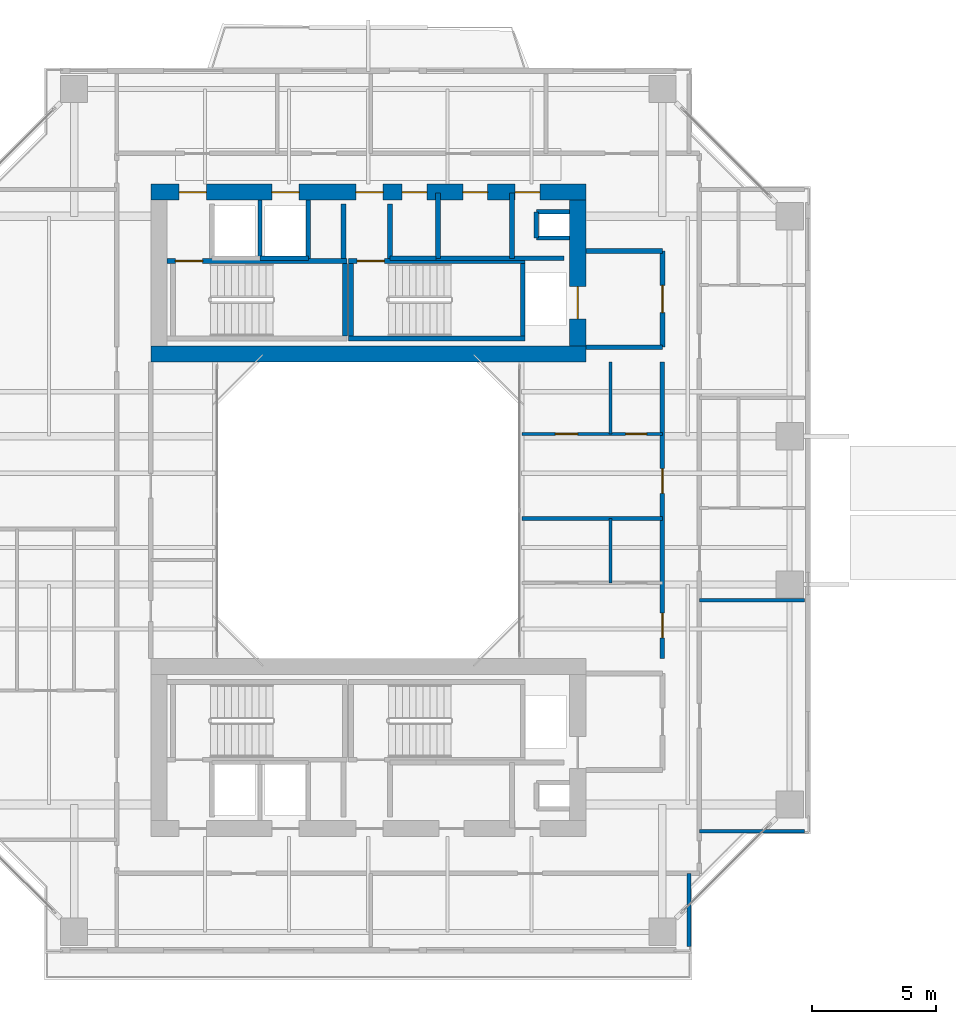
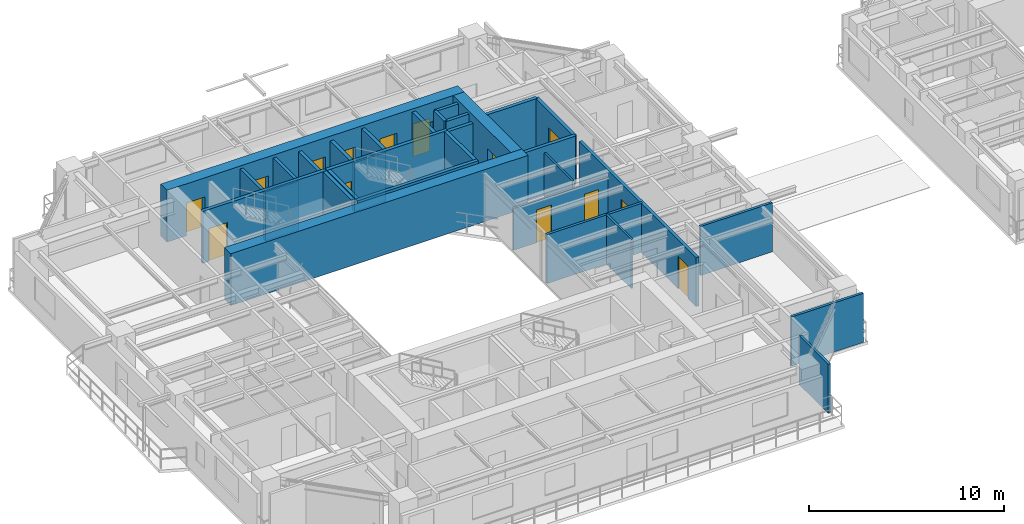
# One storey, part 15 of 23: 32 walls, 14 doors, 14 openings.
"""IFC4 building model written with IfcOpenShell, lengths in metres."""

from ifc_helpers import new_model, si_unit, direction, frame, frame_2d, origin, place, context, subcontext, project, spatial, rectangle, extrude, source, transform, mapped, material, layer, layer_set, type_object, element, fill, save


model = new_model("IFC4")

# Units and contexts
model_context = context("Model", 3, precision=1e-05, world=origin(), true_north=direction((0.0, 1.0)))
body_context = subcontext(model_context, "Body", "Model", "MODEL_VIEW")
ifc_project = project(units=[si_unit("LENGTHUNIT", "METRE"), si_unit("AREAUNIT", "SQUARE_METRE"), si_unit("VOLUMEUNIT", "CUBIC_METRE"), si_unit("PLANEANGLEUNIT", "RADIAN"), si_unit("MASSUNIT", "GRAM", prefix="KILO"), si_unit("THERMODYNAMICTEMPERATUREUNIT", "KELVIN"), si_unit("POWERUNIT", "WATT")], contexts=[model_context])

# Site, building, storey
site_placement = place(None, origin())
site = spatial("IfcSite", under=ifc_project, at=site_placement, CompositionType="ELEMENT")
building_placement = place(site_placement, origin())
building = spatial("IfcBuilding", under=site, at=building_placement, Name="Qiaomeng Ring Towers", CompositionType="ELEMENT")
storey_placement = place(building_placement, frame((0.0, 0.0, 97.0)))
storey = spatial("IfcBuildingStorey", under=building, at=storey_placement, Name="L27", CompositionType="ELEMENT", Elevation=97.0)

# Walls
ifc_material_1 = material(Name="Autoclaved aerated concrete block", Category="concrete")
ifc_layer_1 = layer(ifc_material_1, 0.199951171875, Name="Autoclaved aerated concrete block")
ifc_layer_set_1 = layer_set([ifc_layer_1], Name="Autoclaved aerated concrete block")
wall_type_1 = type_object("IfcWallType", Name="ARC-WL-PW1", PredefinedType="PARTITIONING", material=ifc_layer_set_1)
for number, where, z_axis, x_axis, name in (
    (1, (27.800048828125, 29.60009765625, 0.0), (0.0, 0.0, 1.0), (1.0, 0.0, 0.0), "L27 Interior Wall PW1"),
    (2, (27.800048828125, 33.5, 0.0), (0.0, 0.0, 1.0), (1.0, 0.0, 0.0), "L27 Interior Wall PW1"),
):
    element("IfcWall", number, at=place(storey_placement, frame(where, z_axis=z_axis, x_axis=x_axis)), inside=storey, type_object=wall_type_1, Name=name, PredefinedType="PARTITIONING", context=body_context, shape_type="SweptSolid", body=[
        extrude(rectangle(XDim=3.099853515625, YDim=0.199951171875, at=frame_2d((1.5498046875, 0.0))), origin(), (0.0, 0.0, 1.0), 3.070068359375),
    ])

# Wall, opening, door
wall_1_placement = place(storey_placement, frame((30.89990234375, 29.60009765625, 0.0), z_axis=(0.0, 0.0, 1.0), x_axis=(0.0, 1.0, 0.0)))
wall_1 = element("IfcWall", 3, at=wall_1_placement, inside=storey, type_object=wall_type_1, Name="L27 Interior Wall PW1", PredefinedType="PARTITIONING", context=body_context, shape_type="SweptSolid", body=[
    extrude(rectangle(XDim=3.89990234375, YDim=0.199951171875, at=frame_2d((1.949951171875, 0.0))), origin(), (0.0, 0.0, 1.0), 3.070068359375),
])
opening_1_placement = place(wall_1_placement, frame((1.39990234375, 0.0, 0.0)))
opening_1 = element("IfcOpeningElement", 4, at=opening_1_placement, cuts=wall_1, Name="Opening FD3", PredefinedType="OPENING", context=body_context, shape_type="SweptSolid", body=[
    extrude(rectangle(XDim=1.10009765625, YDim=2.050048828125, at=frame_2d((0.550048828125, 1.02490234375))), frame((0.0, 0.10986328125, 0.0), z_axis=(0.0, -1.0, 0.0), x_axis=(1.0, 0.0, 0.0)), (0.0, 0.0, 1.0), 0.219970703125),
])
ifc_material_2 = material(Name="Galvanised steel", Category="steel")
door_type_1 = type_object("IfcDoorType", Name="ARC-DR-FD3", OperationType="NOTDEFINED", PredefinedType="DOOR", material=ifc_material_2)
shared_shape_1 = source(origin(), body_context, "Body", "SweptSolid", [
    extrude(rectangle(XDim=1.10009765625, YDim=2.050048828125, at=frame_2d((0.550048828125, 1.02490234375))), frame((0.0, 0.02490234375, 0.0), z_axis=(0.0, -1.0, 0.0), x_axis=(1.0, 0.0, 0.0)), (0.0, 0.0, 1.0), 0.050048828125),
])
door_1_placement = place(opening_1_placement, origin())
door_1 = element("IfcDoor", 5, at=door_1_placement, inside=storey, type_object=door_type_1, Name="L27 North FF Lobby Door", OperationType="SINGLE_SWING_RIGHT", OverallHeight=2.050048828125, OverallWidth=1.10009765625, PredefinedType="DOOR", context=body_context, shape_type="MappedRepresentation", body=[
    mapped(shared_shape_1, transform((0.0, 0.0, 0.0), x_axis=(1.0, 0.0, 0.0), y_axis=(0.0, 1.0, 0.0), z_axis=(0.0, 0.0, 1.0), scale=1.0)),
])
fill(opening_1, door_1)

# Walls
for number, where, z_axis, x_axis, name in (
    (6, (18.0, 33.18994140625, 0.0), (0.0, 0.0, 1.0), (0.0, 1.0, 0.0), "L27 Interior Wall PW1"),
    (7, (19.8798828125, 33.18994140625, 0.0), (0.0, 0.0, 1.0), (0.0, 1.0, 0.0), "L27 Interior Wall PW1"),
):
    element("IfcWall", number, at=place(storey_placement, frame(where, z_axis=z_axis, x_axis=x_axis)), inside=storey, type_object=wall_type_1, Name=name, PredefinedType="PARTITIONING", context=body_context, shape_type="SweptSolid", body=[
        extrude(rectangle(XDim=2.2099609375, YDim=0.199951171875, at=frame_2d((1.10498046875, 0.0))), origin(), (0.0, 0.0, 1.0), 3.070068359375),
    ])
wall_2_placement = place(storey_placement, frame((24.820068359375, 33.199951171875, 0.0), z_axis=(0.0, 0.0, 1.0), x_axis=(0.0, 1.0, 0.0)))
element("IfcWall", 8, at=wall_2_placement, inside=storey, type_object=wall_type_1, Name="L27 Interior Wall PW1", PredefinedType="PARTITIONING", context=body_context, shape_type="SweptSolid", body=[
    extrude(rectangle(XDim=2.650146484375, YDim=0.199951171875, at=frame_2d((1.3251953125, 0.0))), origin(), (0.0, 0.0, 1.0), 3.070068359375),
])
wall_3_placement = place(storey_placement, frame((19.8798828125, 33.199951171875, 0.0), z_axis=(0.0, 0.0, 1.0), x_axis=(1.0, 0.0, 0.0)))
element("IfcWall", 9, at=wall_3_placement, inside=storey, type_object=wall_type_1, Name="L27 Interior Wall PW1", PredefinedType="PARTITIONING", context=body_context, shape_type="SweptSolid", body=[
    extrude(rectangle(XDim=1.8701171875, YDim=0.199951171875, at=frame_2d((0.93505859375, 0.0))), origin(), (0.0, 0.0, 1.0), 3.070068359375),
])
wall_4_placement = place(storey_placement, frame((21.830078125, 33.199951171875, 0.0), z_axis=(0.0, 0.0, 1.0), x_axis=(0.0, 1.0, 0.0)))
element("IfcWall", 10, at=wall_4_placement, inside=storey, type_object=wall_type_1, Name="L27 Interior Wall PW1", PredefinedType="PARTITIONING", context=body_context, shape_type="SweptSolid", body=[
    extrude(rectangle(XDim=2.650146484375, YDim=0.199951171875, at=frame_2d((1.3251953125, 0.0))), origin(), (0.0, 0.0, 1.0), 3.070068359375),
])
wall_5_placement = place(storey_placement, frame((21.75, 33.199951171875, 0.0), z_axis=(0.0, 0.0, 1.0), x_axis=(1.0, 0.0, 0.0)))
element("IfcWall", 11, at=wall_5_placement, inside=storey, type_object=wall_type_1, Name="L27 Interior Wall PW1", PredefinedType="PARTITIONING", context=body_context, shape_type="SweptSolid", body=[
    extrude(rectangle(XDim=5.169921875, YDim=0.199951171875, at=frame_2d((2.5849609375, 0.0))), origin(), (0.0, 0.0, 1.0), 3.070068359375),
])

# Wall, openings, doors
ifc_layer_2 = layer(ifc_material_1, 0.179931640625, Name="Autoclaved aerated concrete block")
ifc_layer_set_2 = layer_set([ifc_layer_2], Name="Autoclaved aerated concrete block")
wall_type_2 = type_object("IfcWallType", Name="ARC-WL-PW2", PredefinedType="PARTITIONING", material=ifc_layer_set_2)
wall_6_placement = place(storey_placement, frame((30.89990234375, 17.0, 0.0), z_axis=(0.0, 0.0, 1.0), x_axis=(0.0, 1.0, 0.0)))
wall_6 = element("IfcWall", 12, at=wall_6_placement, inside=storey, type_object=wall_type_2, Name="L27 Interior Wall PW2", PredefinedType="PARTITIONING", context=body_context, shape_type="SweptSolid", body=[
    extrude(rectangle(XDim=12.0, YDim=0.179931640625, at=frame_2d((6.0, 0.0))), origin(), (0.0, 0.0, 1.0), 3.070068359375),
])
opening_2_placement = place(wall_6_placement, frame((0.840087890625, 0.0, 0.0)))
opening_2 = element("IfcOpeningElement", 13, at=opening_2_placement, cuts=wall_6, Name="Opening FD4", PredefinedType="OPENING", context=body_context, shape_type="SweptSolid", body=[
    extrude(rectangle(XDim=1.0, YDim=2.050048828125, at=frame_2d((0.5, 1.02490234375))), frame((0.0, 0.099853515625, 0.0), z_axis=(0.0, -1.0, 0.0), x_axis=(1.0, 0.0, 0.0)), (0.0, 0.0, 1.0), 0.199951171875),
])
opening_3_placement = place(wall_6_placement, frame((6.68994140625, 0.0, 0.0)))
opening_3 = element("IfcOpeningElement", 14, at=opening_3_placement, cuts=wall_6, Name="Opening FD4", PredefinedType="OPENING", context=body_context, shape_type="SweptSolid", body=[
    extrude(rectangle(XDim=1.0, YDim=2.050048828125, at=frame_2d((0.5, 1.02490234375))), frame((0.0, 0.099853515625, 0.0), z_axis=(0.0, -1.0, 0.0), x_axis=(1.0, 0.0, 0.0)), (0.0, 0.0, 1.0), 0.199951171875),
])
ifc_material_3 = material(Name="Engineered fire-rated oak timber", Category="wood")
door_type_2 = type_object("IfcDoorType", Name="ARC-DR-FD4", OperationType="NOTDEFINED", PredefinedType="DOOR", material=ifc_material_3)
shared_shape_2 = source(origin(), body_context, "Body", "SweptSolid", [
    extrude(rectangle(XDim=1.0, YDim=2.050048828125, at=frame_2d((0.5, 1.02490234375))), frame((0.0, 0.02490234375, 0.0), z_axis=(0.0, -1.0, 0.0), x_axis=(1.0, 0.0, 0.0)), (0.0, 0.0, 1.0), 0.050048828125),
])
door_2_placement = place(opening_2_placement, origin())
door_2 = element("IfcDoor", 15, at=door_2_placement, inside=storey, type_object=door_type_2, Name="L27 Door FD4", OperationType="SINGLE_SWING_LEFT", OverallHeight=2.050048828125, OverallWidth=1.0, PredefinedType="DOOR", context=body_context, shape_type="MappedRepresentation", body=[
    mapped(shared_shape_2, transform((0.0, 0.0, 0.0), x_axis=(1.0, 0.0, 0.0), y_axis=(0.0, 1.0, 0.0), z_axis=(0.0, 0.0, 1.0), scale=1.0)),
])
fill(opening_2, door_2)
door_3_placement = place(opening_3_placement, origin())
door_3 = element("IfcDoor", 16, at=door_3_placement, inside=storey, type_object=door_type_2, Name="L27 Door FD4", OperationType="SINGLE_SWING_RIGHT", OverallHeight=2.050048828125, OverallWidth=1.0, PredefinedType="DOOR", context=body_context, shape_type="MappedRepresentation", body=[
    mapped(shared_shape_2, transform((0.0, 0.0, 0.0), x_axis=(1.0, 0.0, 0.0), y_axis=(0.0, 1.0, 0.0), z_axis=(0.0, 0.0, 1.0), scale=1.0)),
])
fill(opening_3, door_3)

# Walls
ifc_material_4 = material(Name="Gypsum fireboard steel-stud partition", Category="steel")
ifc_layer_3 = layer(ifc_material_4, 0.14990234375, Name="Gypsum fireboard steel-stud partition")
ifc_layer_set_3 = layer_set([ifc_layer_3], Name="Gypsum fireboard steel-stud partition")
wall_type_3 = type_object("IfcWallType", Name="ARC-WL-PW3", PredefinedType="PARTITIONING", material=ifc_layer_set_3)
wall_7_placement = place(storey_placement, frame((31.97998046875, 5.35009765625, 0.0), z_axis=(0.0, 0.0, 1.0), x_axis=(0.0, 1.0, 0.0)))
element("IfcWall", 17, at=wall_7_placement, inside=storey, type_object=wall_type_3, Name="L27 Interior Wall PW3", PredefinedType="PARTITIONING", context=body_context, shape_type="SweptSolid", body=[
    extrude(rectangle(XDim=2.9599609375, YDim=0.14990234375, at=frame_2d((1.47998046875, 0.0))), origin(), (0.0, 0.0, 1.0), 3.070068359375),
])
for number, where, z_axis, x_axis, name in (
    (18, (32.39990234375, 10.02001953125, 0.0), (0.0, 0.0, 1.0), (1.0, 0.0, 0.0), "L27 Interior Wall PW3"),
    (19, (32.39990234375, 19.360107421875, 0.0), (0.0, 0.0, 1.0), (1.0, 0.0, 0.0), "L27 Interior Wall PW3"),
):
    element("IfcWall", number, at=place(storey_placement, frame(where, z_axis=z_axis, x_axis=x_axis)), inside=storey, type_object=wall_type_3, Name=name, PredefinedType="PARTITIONING", context=body_context, shape_type="SweptSolid", body=[
        extrude(rectangle(XDim=4.25, YDim=0.14990234375, at=frame_2d((2.125, 0.0))), origin(), (0.0, 0.0, 1.0), 3.070068359375),
    ])
wall_8_placement = place(storey_placement, frame((25.219970703125, 22.669921875, 0.0), z_axis=(0.0, 0.0, 1.0), x_axis=(1.0, 0.0, 0.0)))
element("IfcWall", 20, at=wall_8_placement, inside=storey, type_object=wall_type_3, Name="L27 Interior Wall PW3", PredefinedType="PARTITIONING", context=body_context, shape_type="SweptSolid", body=[
    extrude(rectangle(XDim=5.679931640625, YDim=0.14990234375, at=frame_2d((2.83984375, 0.0))), origin(), (0.0, 0.0, 1.0), 3.070068359375),
])
ifc_material_5 = material(Name="Moisture-resistant gypsum steel-stud partition", Category="steel")
ifc_layer_4 = layer(ifc_material_5, 0.1201171875, Name="Moisture-resistant gypsum steel-stud partition")
ifc_layer_set_4 = layer_set([ifc_layer_4], Name="Moisture-resistant gypsum steel-stud partition")
wall_type_4 = type_object("IfcWallType", Name="ARC-WL-PW4", PredefinedType="PLUMBINGWALL", material=ifc_layer_set_4)
wall_9_placement = place(storey_placement, frame((28.800048828125, 20.06005859375, 0.0), z_axis=(0.0, 0.0, 1.0), x_axis=(0.0, 1.0, 0.0)))
element("IfcWall", 21, at=wall_9_placement, inside=storey, type_object=wall_type_4, Name="L27 Interior Wall PW4", PredefinedType="PLUMBINGWALL", context=body_context, shape_type="SweptSolid", body=[
    extrude(rectangle(XDim=2.60986328125, YDim=0.1201171875, at=frame_2d((1.304931640625, 0.0))), origin(), (0.0, 0.0, 1.0), 3.070068359375),
])

# Wall, openings, doors
wall_10_placement = place(storey_placement, frame((25.219970703125, 26.090087890625, 0.0), z_axis=(0.0, 0.0, 1.0), x_axis=(1.0, 0.0, 0.0)))
wall_10 = element("IfcWall", 22, at=wall_10_placement, inside=storey, type_object=wall_type_4, Name="L27 Interior Wall PW4", PredefinedType="PLUMBINGWALL", context=body_context, shape_type="SweptSolid", body=[
    extrude(rectangle(XDim=5.679931640625, YDim=0.1201171875, at=frame_2d((2.83984375, 0.0))), origin(), (0.0, 0.0, 1.0), 2.625),
])
opening_4_placement = place(wall_10_placement, frame((1.35009765625, 0.0, 0.0)))
opening_4 = element("IfcOpeningElement", 23, at=opening_4_placement, cuts=wall_10, Name="Opening ID1", PredefinedType="OPENING", context=body_context, shape_type="SweptSolid", body=[
    extrude(rectangle(XDim=0.89990234375, YDim=2.050048828125, at=frame_2d((0.449951171875, 1.02490234375))), frame((0.0, 0.070068359375, 0.0), z_axis=(0.0, -1.0, 0.0), x_axis=(1.0, 0.0, 0.0)), (0.0, 0.0, 1.0), 0.14013671875),
])
opening_5_placement = place(wall_10_placement, frame((4.195068359375, 0.0, 0.0)))
opening_5 = element("IfcOpeningElement", 24, at=opening_5_placement, cuts=wall_10, Name="Opening ID2", PredefinedType="OPENING", context=body_context, shape_type="SweptSolid", body=[
    extrude(rectangle(XDim=0.85009765625, YDim=2.050048828125, at=frame_2d((0.425048828125, 1.02490234375))), frame((0.0, 0.070068359375, 0.0), z_axis=(0.0, -1.0, 0.0), x_axis=(1.0, 0.0, 0.0)), (0.0, 0.0, 1.0), 0.14013671875),
])
ifc_material_6 = material(Name="Moisture-resistant engineered timber", Category="wood")
door_type_3 = type_object("IfcDoorType", Name="ARC-DR-ID2", OperationType="NOTDEFINED", PredefinedType="DOOR", material=ifc_material_6)
shared_shape_3 = source(origin(), body_context, "Body", "SweptSolid", [
    extrude(rectangle(XDim=0.85009765625, YDim=2.050048828125, at=frame_2d((0.425048828125, 1.02490234375))), frame((0.0, 0.02490234375, 0.0), z_axis=(0.0, -1.0, 0.0), x_axis=(1.0, 0.0, 0.0)), (0.0, 0.0, 1.0), 0.050048828125),
])
door_4_placement = place(opening_5_placement, origin())
door_4 = element("IfcDoor", 25, at=door_4_placement, inside=storey, type_object=door_type_3, Name="L27 Door ID2", OperationType="SINGLE_SWING_RIGHT", OverallHeight=2.050048828125, OverallWidth=0.85009765625, PredefinedType="DOOR", context=body_context, shape_type="MappedRepresentation", body=[
    mapped(shared_shape_3, transform((0.0, 0.0, 0.0), x_axis=(1.0, 0.0, 0.0), y_axis=(0.0, 1.0, 0.0), z_axis=(0.0, 0.0, 1.0), scale=1.0)),
])
fill(opening_5, door_4)
ifc_material_7 = material(Name="Engineered oak timber", Category="wood")
door_type_4 = type_object("IfcDoorType", Name="ARC-DR-ID1", OperationType="NOTDEFINED", PredefinedType="DOOR", material=ifc_material_7)
shared_shape_4 = source(origin(), body_context, "Body", "SweptSolid", [
    extrude(rectangle(XDim=0.89990234375, YDim=2.050048828125, at=frame_2d((0.449951171875, 1.02490234375))), frame((0.0, 0.02490234375, 0.0), z_axis=(0.0, -1.0, 0.0), x_axis=(1.0, 0.0, 0.0)), (0.0, 0.0, 1.0), 0.050048828125),
])
door_5_placement = place(opening_4_placement, origin())
door_5 = element("IfcDoor", 26, at=door_5_placement, inside=storey, type_object=door_type_4, Name="L27 Door ID1", OperationType="SINGLE_SWING_LEFT", OverallHeight=2.050048828125, OverallWidth=0.89990234375, PredefinedType="DOOR", context=body_context, shape_type="MappedRepresentation", body=[
    mapped(shared_shape_4, transform((0.0, 0.0, 0.0), x_axis=(1.0, 0.0, 0.0), y_axis=(0.0, 1.0, 0.0), z_axis=(0.0, 0.0, 1.0), scale=1.0)),
])
fill(opening_4, door_5)

# Walls
wall_11_placement = place(storey_placement, frame((28.800048828125, 26.090087890625, 0.0), z_axis=(0.0, 0.0, 1.0), x_axis=(0.0, 1.0, 0.0)))
element("IfcWall", 27, at=wall_11_placement, inside=storey, type_object=wall_type_4, Name="L27 Interior Wall PW4", PredefinedType="PLUMBINGWALL", context=body_context, shape_type="SweptSolid", body=[
    extrude(rectangle(XDim=2.909912109375, YDim=0.1201171875, at=frame_2d((1.455078125, 0.0))), origin(), (0.0, 0.0, 1.0), 3.070068359375),
])
ifc_material_8 = material(Name="Concrete C40", Category="concrete")
ifc_layer_5 = layer(ifc_material_8, 0.199951171875, Name="Concrete C40")
ifc_layer_set_5 = layer_set([ifc_layer_5], Name="Concrete C40")
wall_type_5 = type_object("IfcWallType", Name="STR-WL-STSHAFT", PredefinedType="SHEAR", material=ifc_layer_set_5)
wall_12_placement = place(storey_placement, frame((14.6201171875, 33.199951171875, 0.0), z_axis=(0.0, 0.0, 1.0), x_axis=(0.0, 1.0, 0.0)))
element("IfcWall", 28, at=wall_12_placement, inside=storey, type_object=wall_type_5, Name="L27 Lift LP5-LP3 Shaft Divider Wall", PredefinedType="SHEAR", context=body_context, shape_type="SweptSolid", body=[
    extrude(rectangle(XDim=2.35009765625, YDim=0.179931640625, at=frame_2d((1.175048828125, 0.0))), origin(), (0.0, 0.0, 1.0), 3.070068359375),
])
wall_13_placement = place(storey_placement, frame((25.800048828125, 34.02001953125, 0.0), z_axis=(0.0, 0.0, 1.0), x_axis=(0.0, 1.0, 0.0)))
element("IfcWall", 29, at=wall_13_placement, inside=storey, type_object=wall_type_5, Name="L27 Riser RSR1 West Shaft Wall N", PredefinedType="SHEAR", context=body_context, shape_type="SweptSolid", body=[
    extrude(rectangle(XDim=1.06005859375, YDim=0.179931640625, at=frame_2d((0.530029296875, 0.0))), origin(), (0.0, 0.0, 1.0), 3.070068359375),
])
for number, where, z_axis, x_axis, name in (
    (30, (25.800048828125, 35.080078125, 0.0), (0.0, 0.0, 1.0), (1.0, 0.0, 0.0), "L27 Riser RSR1 North Shaft Wall N"),
    (31, (25.800048828125, 34.02001953125, 0.0), (0.0, 0.0, 1.0), (1.0, 0.0, 0.0), "L27 Riser RSR1 South Shaft Wall N"),
):
    element("IfcWall", number, at=place(storey_placement, frame(where, z_axis=z_axis, x_axis=x_axis)), inside=storey, type_object=wall_type_5, Name=name, PredefinedType="SHEAR", context=body_context, shape_type="SweptSolid", body=[
        extrude(rectangle(XDim=1.349853515625, YDim=0.179931640625, at=frame_2d((0.6748046875, 0.0))), origin(), (0.0, 0.0, 1.0), 3.070068359375),
    ])
wall_14_placement = place(storey_placement, frame((14.6201171875, 33.199951171875, 0.0), z_axis=(0.0, 0.0, 1.0), x_axis=(1.0, 0.0, 0.0)))
element("IfcWall", 32, at=wall_14_placement, inside=storey, type_object=wall_type_5, Name="L27 Lift LP3 Shaft Back Wall", PredefinedType="SHEAR", context=body_context, shape_type="SweptSolid", body=[
    extrude(rectangle(XDim=1.9599609375, YDim=0.179931640625, at=frame_2d((0.97998046875, 0.0))), origin(), (0.0, 0.0, 1.0), 3.070068359375),
])
wall_15_placement = place(storey_placement, frame((16.580078125, 33.199951171875, 0.0), z_axis=(0.0, 0.0, 1.0), x_axis=(0.0, 1.0, 0.0)))
element("IfcWall", 33, at=wall_15_placement, inside=storey, type_object=wall_type_5, Name="L27 Lift LP3 East Shaft Wall", PredefinedType="SHEAR", context=body_context, shape_type="SweptSolid", body=[
    extrude(rectangle(XDim=2.35009765625, YDim=0.179931640625, at=frame_2d((1.175048828125, 0.0))), origin(), (0.0, 0.0, 1.0), 3.070068359375),
])

# Wall, opening, door
wall_16_placement = place(storey_placement, frame((10.85009765625, 33.090087890625, 0.0), z_axis=(0.0, 0.0, 1.0), x_axis=(1.0, 0.0, 0.0)))
wall_16 = element("IfcWall", 34, at=wall_16_placement, inside=storey, type_object=wall_type_5, Name="L27 Stair ST1 North Shaft Shear Wall", PredefinedType="SHEAR", context=body_context, shape_type="SweptSolid", body=[
    extrude(rectangle(XDim=7.2998046875, YDim=0.199951171875, at=frame_2d((3.64990234375, 0.0))), origin(), (0.0, 0.0, 1.0), 3.25),
])
opening_6_placement = place(wall_16_placement, frame((0.35009765625, 0.0, 0.0)))
opening_6 = element("IfcOpeningElement", 35, at=opening_6_placement, cuts=wall_16, Name="Opening FD3", PredefinedType="OPENING", context=body_context, shape_type="SweptSolid", body=[
    extrude(rectangle(XDim=1.10009765625, YDim=2.050048828125, at=frame_2d((0.550048828125, 1.02490234375))), frame((0.0, 0.10986328125, 0.0), z_axis=(0.0, -1.0, 0.0), x_axis=(1.0, 0.0, 0.0)), (0.0, 0.0, 1.0), 0.219970703125),
])
door_6_placement = place(opening_6_placement, origin())
door_6 = element("IfcDoor", 36, at=door_6_placement, inside=storey, type_object=door_type_1, Name="L27 Stair ST1 Exit Door", OperationType="SINGLE_SWING_LEFT", OverallHeight=2.050048828125, OverallWidth=1.10009765625, PredefinedType="DOOR", context=body_context, shape_type="MappedRepresentation", body=[
    mapped(shared_shape_1, transform((0.0, 0.0, 0.0), x_axis=(1.0, 0.0, 0.0), y_axis=(0.0, 1.0, 0.0), z_axis=(0.0, 0.0, 1.0), scale=1.0)),
])
fill(opening_6, door_6)

# Walls
wall_17_placement = place(storey_placement, frame((18.050048828125, 30.050048828125, 0.0), z_axis=(0.0, 0.0, 1.0), x_axis=(0.0, 1.0, 0.0)))
element("IfcWall", 37, at=wall_17_placement, inside=storey, type_object=wall_type_5, Name="L27 Stair ST1 East Shaft Shear Wall", PredefinedType="SHEAR", context=body_context, shape_type="SweptSolid", body=[
    extrude(rectangle(XDim=2.93994140625, YDim=0.199951171875, at=frame_2d((1.469970703125, 0.0))), origin(), (0.0, 0.0, 1.0), 3.25),
])
wall_18_placement = place(storey_placement, frame((18.199951171875, 29.949951171875, 0.0), z_axis=(0.0, 0.0, 1.0), x_axis=(1.0, 0.0, 0.0)))
element("IfcWall", 38, at=wall_18_placement, inside=storey, type_object=wall_type_5, Name="L27 Stair ST2 South Shaft Shear Wall", PredefinedType="SHEAR", context=body_context, shape_type="SweptSolid", body=[
    extrude(rectangle(XDim=7.150146484375, YDim=0.199951171875, at=frame_2d((3.5751953125, 0.0))), origin(), (0.0, 0.0, 1.0), 3.25),
])

# Wall, opening, door
wall_19_placement = place(storey_placement, frame((18.199951171875, 33.090087890625, 0.0), z_axis=(0.0, 0.0, 1.0), x_axis=(1.0, 0.0, 0.0)))
wall_19 = element("IfcWall", 39, at=wall_19_placement, inside=storey, type_object=wall_type_5, Name="L27 Stair ST2 North Shaft Shear Wall", PredefinedType="SHEAR", context=body_context, shape_type="SweptSolid", body=[
    extrude(rectangle(XDim=7.150146484375, YDim=0.199951171875, at=frame_2d((3.5751953125, 0.0))), origin(), (0.0, 0.0, 1.0), 3.25),
])
opening_7_placement = place(wall_19_placement, frame((0.35009765625, 0.0, 0.0)))
opening_7 = element("IfcOpeningElement", 40, at=opening_7_placement, cuts=wall_19, Name="Opening FD3", PredefinedType="OPENING", context=body_context, shape_type="SweptSolid", body=[
    extrude(rectangle(XDim=1.10009765625, YDim=2.050048828125, at=frame_2d((0.550048828125, 1.02490234375))), frame((0.0, 0.10986328125, 0.0), z_axis=(0.0, -1.0, 0.0), x_axis=(1.0, 0.0, 0.0)), (0.0, 0.0, 1.0), 0.219970703125),
])
door_7_placement = place(opening_7_placement, origin())
door_7 = element("IfcDoor", 41, at=door_7_placement, inside=storey, type_object=door_type_1, Name="L27 Stair ST2 Exit Door", OperationType="SINGLE_SWING_LEFT", OverallHeight=2.050048828125, OverallWidth=1.10009765625, PredefinedType="DOOR", context=body_context, shape_type="MappedRepresentation", body=[
    mapped(shared_shape_1, transform((0.0, 0.0, 0.0), x_axis=(1.0, 0.0, 0.0), y_axis=(0.0, 1.0, 0.0), z_axis=(0.0, 0.0, 1.0), scale=1.0)),
])
fill(opening_7, door_7)

# Walls
for number, where, z_axis, x_axis, name in (
    (42, (18.300048828125, 30.050048828125, 0.0), (0.0, 0.0, 1.0), (0.0, 1.0, 0.0), "L27 Stair ST2 West Shaft Shear Wall"),
    (43, (25.25, 30.050048828125, 0.0), (0.0, 0.0, 1.0), (0.0, 1.0, 0.0), "L27 Stair ST2 East Shaft Shear Wall"),
):
    element("IfcWall", number, at=place(storey_placement, frame(where, z_axis=z_axis, x_axis=x_axis)), inside=storey, type_object=wall_type_5, Name=name, PredefinedType="SHEAR", context=body_context, shape_type="SweptSolid", body=[
        extrude(rectangle(XDim=2.93994140625, YDim=0.199951171875, at=frame_2d((1.469970703125, 0.0))), origin(), (0.0, 0.0, 1.0), 3.25),
    ])
ifc_material_9 = material(Name="Concrete C55", Category="concrete")
ifc_layer_6 = layer(ifc_material_9, 0.64990234375, Name="Concrete C55")
ifc_layer_set_6 = layer_set([ifc_layer_6], Name="Concrete C55")
wall_type_6 = type_object("IfcWallType", Name="STR-WL-SW2A", PredefinedType="SHEAR", material=ifc_layer_set_6)
wall_20_placement = place(storey_placement, frame((10.199951171875, 29.324951171875, 0.0), z_axis=(0.0, 0.0, 1.0), x_axis=(1.0, 0.0, 0.0)))
element("IfcWall", 44, at=wall_20_placement, inside=storey, type_object=wall_type_6, Name="L27 T1NC south core shear wall", PredefinedType="SHEAR", context=body_context, shape_type="SweptSolid", body=[
    extrude(rectangle(XDim=17.60009765625, YDim=0.64990234375, at=frame_2d((8.800048828125, 0.0))), origin(), (0.0, 0.0, 1.0), 3.25),
])

# Wall, openings, doors
wall_21_placement = place(storey_placement, frame((10.199951171875, 35.875, 0.0), z_axis=(0.0, 0.0, 1.0), x_axis=(1.0, 0.0, 0.0)))
wall_21 = element("IfcWall", 45, at=wall_21_placement, inside=storey, type_object=wall_type_6, Name="L27 T1NC north core shear wall", PredefinedType="SHEAR", context=body_context, shape_type="SweptSolid", body=[
    extrude(rectangle(XDim=17.60009765625, YDim=0.64990234375, at=frame_2d((8.800048828125, 0.0))), origin(), (0.0, 0.0, 1.0), 3.25),
])
opening_8_placement = place(wall_21_placement, frame((1.14990234375, 0.0, 0.0)))
opening_8 = element("IfcOpeningElement", 46, at=opening_8_placement, cuts=wall_21, Name="Opening FD3", PredefinedType="OPENING", context=body_context, shape_type="SweptSolid", body=[
    extrude(rectangle(XDim=1.10009765625, YDim=2.050048828125, at=frame_2d((0.550048828125, 1.02490234375))), frame((0.0, 0.3349609375, 0.0), z_axis=(0.0, -1.0, 0.0), x_axis=(1.0, 0.0, 0.0)), (0.0, 0.0, 1.0), 0.669921875),
])
opening_9_placement = place(wall_21_placement, frame((8.300048828125, 0.0, 0.0)))
opening_9 = element("IfcOpeningElement", 47, at=opening_9_placement, cuts=wall_21, Name="Opening FD3", PredefinedType="OPENING", context=body_context, shape_type="SweptSolid", body=[
    extrude(rectangle(XDim=1.10009765625, YDim=2.050048828125, at=frame_2d((0.550048828125, 1.02490234375))), frame((0.0, 0.3349609375, 0.0), z_axis=(0.0, -1.0, 0.0), x_axis=(1.0, 0.0, 0.0)), (0.0, 0.0, 1.0), 0.669921875),
])
opening_10_placement = place(wall_21_placement, frame((4.89990234375, 0.0, 0.0)))
opening_10 = element("IfcOpeningElement", 48, at=opening_10_placement, cuts=wall_21, Name="Opening LD1", PredefinedType="OPENING", context=body_context, shape_type="SweptSolid", body=[
    extrude(rectangle(XDim=1.10009765625, YDim=2.050048828125, at=frame_2d((0.550048828125, 1.02490234375))), frame((0.0, 0.3349609375, 0.0), z_axis=(0.0, -1.0, 0.0), x_axis=(1.0, 0.0, 0.0)), (0.0, 0.0, 1.0), 0.669921875),
])
opening_11_placement = place(wall_21_placement, frame((14.739990234375, 0.0, 0.0)))
opening_11 = element("IfcOpeningElement", 49, at=opening_11_placement, cuts=wall_21, Name="Opening FD1", PredefinedType="OPENING", context=body_context, shape_type="SweptSolid", body=[
    extrude(rectangle(XDim=1.0, YDim=2.050048828125, at=frame_2d((0.5, 1.02490234375))), frame((0.0, 0.3349609375, 0.0), z_axis=(0.0, -1.0, 0.0), x_axis=(1.0, 0.0, 0.0)), (0.0, 0.0, 1.0), 0.669921875),
])
opening_12_placement = place(wall_21_placement, frame((10.175048828125, 0.0, 0.0)))
opening_12 = element("IfcOpeningElement", 50, at=opening_12_placement, cuts=wall_21, Name="Opening FD1", PredefinedType="OPENING", context=body_context, shape_type="SweptSolid", body=[
    extrude(rectangle(XDim=1.0, YDim=2.050048828125, at=frame_2d((0.5, 1.02490234375))), frame((0.0, 0.3349609375, 0.0), z_axis=(0.0, -1.0, 0.0), x_axis=(1.0, 0.0, 0.0)), (0.0, 0.0, 1.0), 0.669921875),
])
opening_13_placement = place(wall_21_placement, frame((12.625, 0.0, 0.0)))
opening_13 = element("IfcOpeningElement", 51, at=opening_13_placement, cuts=wall_21, Name="Opening FD1", PredefinedType="OPENING", context=body_context, shape_type="SweptSolid", body=[
    extrude(rectangle(XDim=1.0, YDim=2.050048828125, at=frame_2d((0.5, 1.02490234375))), frame((0.0, 0.3349609375, 0.0), z_axis=(0.0, -1.0, 0.0), x_axis=(1.0, 0.0, 0.0)), (0.0, 0.0, 1.0), 0.669921875),
])
door_8_placement = place(opening_8_placement, origin())
door_8 = element("IfcDoor", 52, at=door_8_placement, inside=storey, type_object=door_type_1, Name="L27 Stair ST1 Lobby Door", OperationType="SINGLE_SWING_RIGHT", OverallHeight=2.050048828125, OverallWidth=1.10009765625, PredefinedType="DOOR", context=body_context, shape_type="MappedRepresentation", body=[
    mapped(shared_shape_1, transform((0.0, 0.0, 0.0), x_axis=(1.0, 0.0, 0.0), y_axis=(0.0, 1.0, 0.0), z_axis=(0.0, 0.0, 1.0), scale=1.0)),
])
fill(opening_8, door_8)
door_9_placement = place(opening_9_placement, origin())
door_9 = element("IfcDoor", 53, at=door_9_placement, inside=storey, type_object=door_type_1, Name="L27 Stair ST2 Lobby Door", OperationType="SINGLE_SWING_RIGHT", OverallHeight=2.050048828125, OverallWidth=1.10009765625, PredefinedType="DOOR", context=body_context, shape_type="MappedRepresentation", body=[
    mapped(shared_shape_1, transform((0.0, 0.0, 0.0), x_axis=(1.0, 0.0, 0.0), y_axis=(0.0, 1.0, 0.0), z_axis=(0.0, 0.0, 1.0), scale=1.0)),
])
fill(opening_9, door_9)
ifc_material_10 = material(Name="Stainless steel 316", Category="steel")
door_type_5 = type_object("IfcDoorType", Name="ARC-DR-LD1", OperationType="NOTDEFINED", PredefinedType="DOOR", material=ifc_material_10)
door_10_placement = place(opening_10_placement, origin())
door_10 = element("IfcDoor", 54, at=door_10_placement, inside=storey, type_object=door_type_5, Name="L27 Mid-Zone Lift LP3 Landing Door", OperationType="SLIDING_TO_LEFT", OverallHeight=2.050048828125, OverallWidth=1.10009765625, PredefinedType="DOOR", context=body_context, shape_type="MappedRepresentation", body=[
    mapped(shared_shape_1, transform((0.0, 0.0, 0.0), x_axis=(1.0, 0.0, 0.0), y_axis=(0.0, 1.0, 0.0), z_axis=(0.0, 0.0, 1.0), scale=1.0)),
])
fill(opening_10, door_10)
door_type_6 = type_object("IfcDoorType", Name="ARC-DR-FD1", OperationType="NOTDEFINED", PredefinedType="DOOR", material=ifc_material_2)
door_11_placement = place(opening_11_placement, origin())
door_11 = element("IfcDoor", 55, at=door_11_placement, inside=storey, type_object=door_type_6, Name="L27 North Electrical Riser Door", OperationType="SINGLE_SWING_RIGHT", OverallHeight=2.050048828125, OverallWidth=1.0, PredefinedType="DOOR", context=body_context, shape_type="MappedRepresentation", body=[
    mapped(shared_shape_2, transform((0.0, 0.0, 0.0), x_axis=(1.0, 0.0, 0.0), y_axis=(0.0, 1.0, 0.0), z_axis=(0.0, 0.0, 1.0), scale=1.0)),
])
fill(opening_11, door_11)
door_12_placement = place(opening_12_placement, origin())
door_12 = element("IfcDoor", 56, at=door_12_placement, inside=storey, type_object=door_type_6, Name="L27 North Cleaners Store Door", OperationType="SINGLE_SWING_RIGHT", OverallHeight=2.050048828125, OverallWidth=1.0, PredefinedType="DOOR", context=body_context, shape_type="MappedRepresentation", body=[
    mapped(shared_shape_2, transform((0.0, 0.0, 0.0), x_axis=(1.0, 0.0, 0.0), y_axis=(0.0, 1.0, 0.0), z_axis=(0.0, 0.0, 1.0), scale=1.0)),
])
fill(opening_12, door_12)
door_13_placement = place(opening_13_placement, origin())
door_13 = element("IfcDoor", 57, at=door_13_placement, inside=storey, type_object=door_type_6, Name="L27 North Telemetry Office Door", OperationType="SINGLE_SWING_LEFT", OverallHeight=2.050048828125, OverallWidth=1.0, PredefinedType="DOOR", context=body_context, shape_type="MappedRepresentation", body=[
    mapped(shared_shape_2, transform((0.0, 0.0, 0.0), x_axis=(1.0, 0.0, 0.0), y_axis=(0.0, 1.0, 0.0), z_axis=(0.0, 0.0, 1.0), scale=1.0)),
])
fill(opening_13, door_13)

# Wall, opening, door
wall_22_placement = place(storey_placement, frame((27.47509765625, 29.64990234375, 0.0), z_axis=(0.0, 0.0, 1.0), x_axis=(0.0, 1.0, 0.0)))
wall_22 = element("IfcWall", 58, at=wall_22_placement, inside=storey, type_object=wall_type_6, Name="L27 T1NC east core shear wall", PredefinedType="SHEAR", context=body_context, shape_type="SweptSolid", body=[
    extrude(rectangle(XDim=5.900146484375, YDim=0.64990234375, at=frame_2d((2.9501953125, 0.0))), origin(), (0.0, 0.0, 1.0), 3.25),
])
opening_14_placement = place(wall_22_placement, frame((1.10009765625, 0.0, 0.0)))
opening_14 = element("IfcOpeningElement", 59, at=opening_14_placement, cuts=wall_22, Name="Opening LD2", PredefinedType="OPENING", context=body_context, shape_type="SweptSolid", body=[
    extrude(rectangle(XDim=1.300048828125, YDim=2.050048828125, at=frame_2d((0.64990234375, 1.02490234375))), frame((0.0, 0.3349609375, 0.0), z_axis=(0.0, -1.0, 0.0), x_axis=(1.0, 0.0, 0.0)), (0.0, 0.0, 1.0), 0.669921875),
])
door_type_7 = type_object("IfcDoorType", Name="ARC-DR-LD2", OperationType="NOTDEFINED", PredefinedType="DOOR", material=ifc_material_10)
shared_shape_5 = source(origin(), body_context, "Body", "SweptSolid", [
    extrude(rectangle(XDim=1.300048828125, YDim=2.050048828125, at=frame_2d((0.64990234375, 1.02490234375))), frame((0.0, 0.02490234375, 0.0), z_axis=(0.0, -1.0, 0.0), x_axis=(1.0, 0.0, 0.0)), (0.0, 0.0, 1.0), 0.050048828125),
])
door_14_placement = place(opening_14_placement, origin())
door_14 = element("IfcDoor", 60, at=door_14_placement, inside=storey, type_object=door_type_7, Name="L27 Firefighting Lift FL1 Landing Door", OperationType="SLIDING_TO_LEFT", OverallHeight=2.050048828125, OverallWidth=1.300048828125, PredefinedType="DOOR", context=body_context, shape_type="MappedRepresentation", body=[
    mapped(shared_shape_5, transform((0.0, 0.0, 0.0), x_axis=(1.0, 0.0, 0.0), y_axis=(0.0, 1.0, 0.0), z_axis=(0.0, 0.0, 1.0), scale=1.0)),
])
fill(opening_14, door_14)

save(model, "model.ifc")
